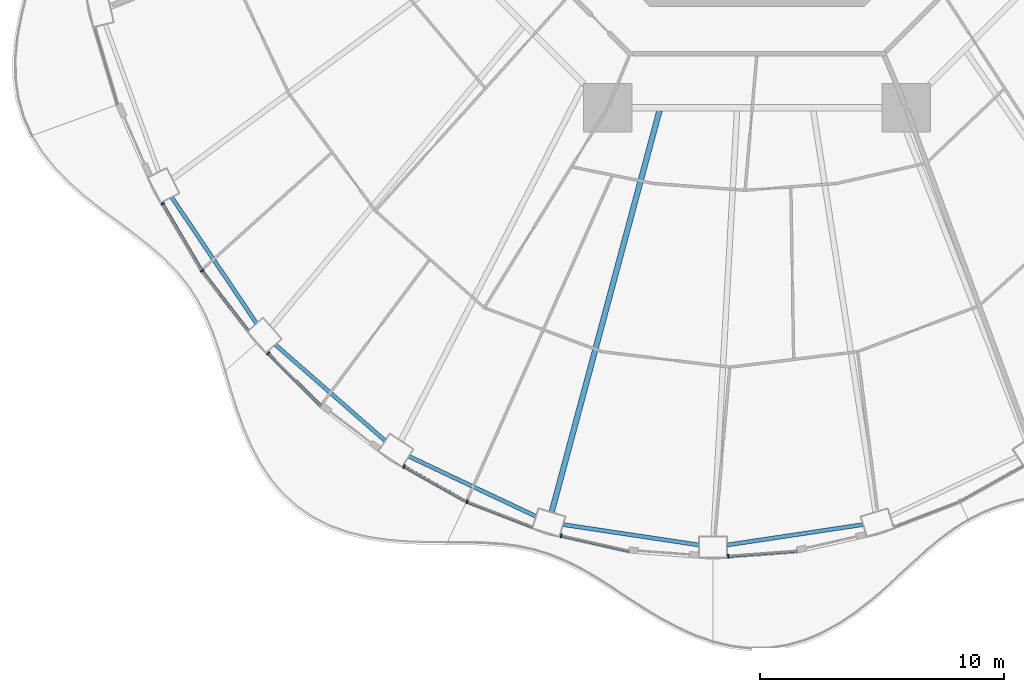
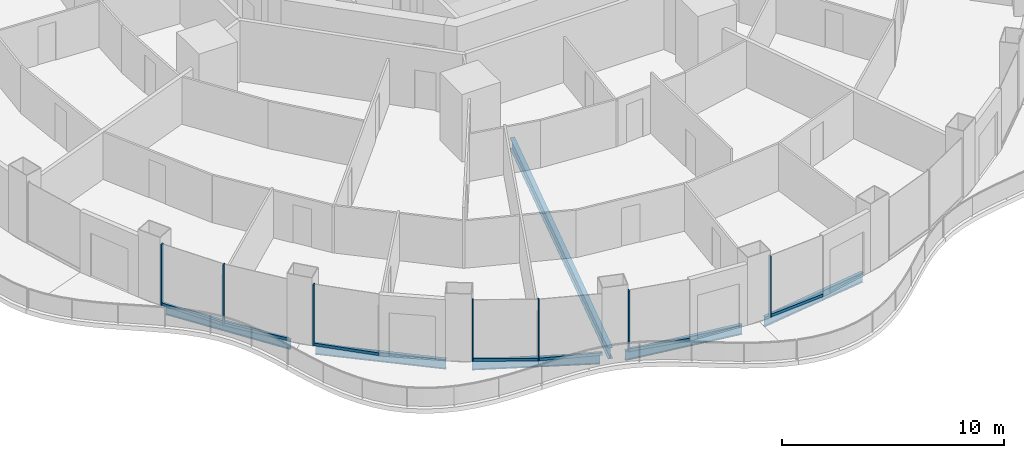
# One storey, part 2 of 21: 14 members, 6 beams, 7 elements without a shape of their own.
"""IFC4 building model written with IfcOpenShell, lengths in metres."""

from ifc_helpers import new_model, si_unit, direction, frame, origin, origin_2d, place, context, subcontext, project, spatial, rectangle, i_section, extrude, material, layer, layer_set, material_profile, profile_set, type_object, element, aggregate, save


model = new_model("IFC4")

# Units and contexts
model_context = context("Model", 3, precision=1e-05, world=origin(), true_north=direction((0.0, 1.0)))
body_context = subcontext(model_context, "Body", "Model", "MODEL_VIEW")
ifc_project = project(units=[si_unit("LENGTHUNIT", "METRE"), si_unit("AREAUNIT", "SQUARE_METRE"), si_unit("VOLUMEUNIT", "CUBIC_METRE"), si_unit("PLANEANGLEUNIT", "RADIAN"), si_unit("MASSUNIT", "GRAM", prefix="KILO")], contexts=[model_context])

# Site, building, storey
site_placement = place(None, origin())
site = spatial("IfcSite", under=ifc_project, at=site_placement, CompositionType="ELEMENT")
building_placement = place(site_placement, origin())
building = spatial("IfcBuilding", under=site, at=building_placement, Name="Nagisa Residences", CompositionType="ELEMENT")
storey_placement = place(building_placement, frame((0.0, 0.0, 156.60009765625)))
storey = spatial("IfcBuildingStorey", under=building, at=storey_placement, Name="L39", CompositionType="ELEMENT", Elevation=156.60009765625)

# Curtain wall, member
ifc_material_1 = material(Name="Concrete-coloured aluminium curtain wall system", Category="concrete")
ifc_layer = layer(ifc_material_1, 0.159912109375)
ifc_layer_set = layer_set([ifc_layer], Name="CW1 CURTAIN WALL")
curtain_wall_type = type_object("IfcCurtainWallType", Name="CW1 CURTAIN WALL", PredefinedType="NOTDEFINED", material=ifc_layer_set)
curtain_wall_1_placement = place(storey_placement, origin())
curtain_wall_1 = element("IfcCurtainWall", 1, at=curtain_wall_1_placement, inside=storey, type_object=curtain_wall_type, Name="cw:CW1:L39:28", PredefinedType="NOTDEFINED")
ifc_material_2 = material(Name="Concrete-coloured aluminium", Category="concrete")
ifc_material_profile_1 = material_profile(ifc_material_2, rectangle(XDim=0.159912109375, YDim=0.06005859375, at=origin_2d()), Name="CW1 MULLION 160x60")
ifc_profile_set_1 = profile_set([ifc_material_profile_1], Name="Concrete-coloured aluminium")
member_type_1 = type_object("IfcMemberType", Name="CW1 MULLION 160x60", PredefinedType="MULLION", material=ifc_profile_set_1)
member_1_placement = place(storey_placement, frame((-24.39208984375, -18.718017578125, 0.0), z_axis=(0.0, 0.0, 1.0), x_axis=(0.862328898214, 0.506348567002, 0.0)))
member_1 = element("IfcMember", 2, at=member_1_placement, type_object=member_type_1, Name="CW1 mullion", PredefinedType="MULLION", context=body_context, shape_type="SweptSolid", body=[
    extrude(rectangle(XDim=0.159912109375, YDim=0.06005859375, at=origin_2d()), origin(), (0.0, 0.0, 1.0), 3.349853515625),
])

curtain_wall_2_placement = place(storey_placement, origin())
curtain_wall_2 = element("IfcCurtainWall", 3, at=curtain_wall_2_placement, inside=storey, type_object=curtain_wall_type, Name="cw:CW1:L39:29", PredefinedType="NOTDEFINED")
member_2_placement = place(storey_placement, frame((-22.77001953125, -21.47412109375, 0.0), z_axis=(0.0, 0.0, 1.0), x_axis=(0.792070340816, 0.610429828235, 0.0)))
member_2 = element("IfcMember", 4, at=member_2_placement, type_object=member_type_1, Name="CW1 mullion", PredefinedType="MULLION", context=body_context, shape_type="SweptSolid", body=[
    extrude(rectangle(XDim=0.159912109375, YDim=0.06005859375, at=origin_2d()), origin(), (0.0, 0.0, 1.0), 3.349853515625),
])

curtain_wall_3_placement = place(storey_placement, origin())
curtain_wall_3 = element("IfcCurtainWall", 5, at=curtain_wall_3_placement, inside=storey, type_object=curtain_wall_type, Name="cw:CW1:L39:30", PredefinedType="NOTDEFINED")
member_3_placement = place(storey_placement, frame((-20.060546875, -24.857177734375, 0.0), z_axis=(0.0, 0.0, 1.0), x_axis=(0.706376885714, 0.707835924016, 0.0)))
member_3 = element("IfcMember", 6, at=member_3_placement, type_object=member_type_1, Name="CW1 mullion", PredefinedType="MULLION", context=body_context, shape_type="SweptSolid", body=[
    extrude(rectangle(XDim=0.159912109375, YDim=0.06005859375, at=origin_2d()), origin(), (0.0, 0.0, 1.0), 3.349853515625),
])

curtain_wall_4_placement = place(storey_placement, origin())
curtain_wall_4 = element("IfcCurtainWall", 7, at=curtain_wall_4_placement, inside=storey, type_object=curtain_wall_type, Name="cw:CW1:L39:32", PredefinedType="NOTDEFINED")
member_4_placement = place(storey_placement, frame((-14.47900390625, -29.505859375, 0.0), z_axis=(0.0, 0.0, 1.0), x_axis=(0.489376918501, 0.872072377523, 0.0)))
member_4 = element("IfcMember", 8, at=member_4_placement, type_object=member_type_1, Name="CW1 mullion", PredefinedType="MULLION", context=body_context, shape_type="SweptSolid", body=[
    extrude(rectangle(XDim=0.159912109375, YDim=0.06005859375, at=origin_2d()), origin(), (0.0, 0.0, 1.0), 3.349853515625),
])

curtain_wall_5_placement = place(storey_placement, origin())
curtain_wall_5 = element("IfcCurtainWall", 9, at=curtain_wall_5_placement, inside=storey, type_object=curtain_wall_type, Name="cw:CW1:L39:33", PredefinedType="NOTDEFINED")
member_5_placement = place(storey_placement, frame((-11.897705078125, -30.950439453125, 0.0), z_axis=(0.0, 0.0, 1.0), x_axis=(0.360327770268, 0.932825759707, 0.0)))
member_5 = element("IfcMember", 10, at=member_5_placement, type_object=member_type_1, Name="CW1 mullion", PredefinedType="MULLION", context=body_context, shape_type="SweptSolid", body=[
    extrude(rectangle(XDim=0.159912109375, YDim=0.06005859375, at=origin_2d()), origin(), (0.0, 0.0, 1.0), 3.349853515625),
])

curtain_wall_6_placement = place(storey_placement, origin())
curtain_wall_6 = element("IfcCurtainWall", 11, at=curtain_wall_6_placement, inside=storey, type_object=curtain_wall_type, Name="cw:CW1:L39:34", PredefinedType="NOTDEFINED")
member_6_placement = place(storey_placement, frame((-8.03564453125, -32.344970703125, 0.0), z_axis=(0.0, 0.0, 1.0), x_axis=(0.2207639201, 0.975327274089, 0.0)))
member_6 = element("IfcMember", 12, at=member_6_placement, type_object=member_type_1, Name="CW1 mullion", PredefinedType="MULLION", context=body_context, shape_type="SweptSolid", body=[
    extrude(rectangle(XDim=0.159912109375, YDim=0.06005859375, at=origin_2d()), origin(), (0.0, 0.0, 1.0), 3.349853515625),
])

curtain_wall_7_placement = place(storey_placement, origin())
curtain_wall_7 = element("IfcCurtainWall", 13, at=curtain_wall_7_placement, inside=storey, type_object=curtain_wall_type, Name="cw:CW1:L39:36", PredefinedType="NOTDEFINED")
member_7_placement = place(storey_placement, frame((-1.177734375, -33.18603515625, 0.0), z_axis=(0.0, 0.0, 1.0), x_axis=(-0.074377355493, 0.997230168512, 0.0)))
member_7 = element("IfcMember", 14, at=member_7_placement, type_object=member_type_1, Name="CW1 mullion", PredefinedType="MULLION", context=body_context, shape_type="SweptSolid", body=[
    extrude(rectangle(XDim=0.159912109375, YDim=0.06005859375, at=origin_2d()), origin(), (0.0, 0.0, 1.0), 3.349853515625),
])

# Member
ifc_material_3 = material(Name="Concrete-coloured aluminium", Category="concrete")
ifc_material_profile_2 = material_profile(ifc_material_3, rectangle(XDim=0.1201171875, YDim=0.14990234375, at=origin_2d()), Name="CW1 TRANSOM 120x150")
ifc_profile_set_2 = profile_set([ifc_material_profile_2], Name="Concrete-coloured aluminium")
member_type_2 = type_object("IfcMemberType", Name="CW1 TRANSOM 120x150", PredefinedType="USERDEFINED", material=ifc_profile_set_2)
member_8_placement = place(storey_placement, frame((-24.4072265625, -18.692138671875, 0.074951171875), z_axis=(0.506348207891, -0.86232910908, 0.0), x_axis=(0.86232910908, 0.506348207891, 0.0)))
member_8 = element("IfcMember", 15, at=member_8_placement, type_object=member_type_2, Name="CW1 transom", ObjectType="TRANSOM", PredefinedType="USERDEFINED", context=body_context, shape_type="SweptSolid", body=[
    extrude(rectangle(XDim=0.1201171875, YDim=0.14990234375, at=origin_2d()), origin(), (0.0, 0.0, 1.0), 3.208251953125),
])

aggregate(curtain_wall_1, [member_1, member_8])

member_9_placement = place(storey_placement, frame((-22.788330078125, -21.450439453125, 0.074951171875), z_axis=(0.610429847179, -0.792070326217, 0.0), x_axis=(0.792070326217, 0.610429847179, 0.0)))
member_9 = element("IfcMember", 16, at=member_9_placement, type_object=member_type_2, Name="CW1 transom", ObjectType="TRANSOM", PredefinedType="USERDEFINED", context=body_context, shape_type="SweptSolid", body=[
    extrude(rectangle(XDim=0.1201171875, YDim=0.14990234375, at=origin_2d()), origin(), (0.0, 0.0, 1.0), 3.149169921875),
])

aggregate(curtain_wall_2, [member_2, member_9])

member_10_placement = place(storey_placement, frame((-20.081787109375, -24.8359375, 0.074951171875), z_axis=(0.707818274975, -0.706394570768, 0.0), x_axis=(0.706394570768, 0.707818274975, 0.0)))
member_10 = element("IfcMember", 17, at=member_10_placement, type_object=member_type_2, Name="CW1 transom", ObjectType="TRANSOM", PredefinedType="USERDEFINED", context=body_context, shape_type="SweptSolid", body=[
    extrude(rectangle(XDim=0.1201171875, YDim=0.14990234375, at=origin_2d()), origin(), (0.0, 0.0, 1.0), 3.086669921875),
])

aggregate(curtain_wall_3, [member_3, member_10])

member_11_placement = place(storey_placement, frame((-14.505126953125, -29.4912109375, 0.074951171875), z_axis=(0.87206688547, -0.489386705241, 0.0), x_axis=(0.489386705241, 0.87206688547, 0.0)))
member_11 = element("IfcMember", 18, at=member_11_placement, type_object=member_type_2, Name="CW1 transom", ObjectType="TRANSOM", PredefinedType="USERDEFINED", context=body_context, shape_type="SweptSolid", body=[
    extrude(rectangle(XDim=0.1201171875, YDim=0.14990234375, at=origin_2d()), origin(), (0.0, 0.0, 1.0), 2.9697265625),
])

aggregate(curtain_wall_4, [member_4, member_11])

member_12_placement = place(storey_placement, frame((-11.92578125, -30.939697265625, 0.074951171875), z_axis=(0.932845344347, -0.360277064952, 0.0), x_axis=(0.360277064952, 0.932845344347, 0.0)))
member_12 = element("IfcMember", 19, at=member_12_placement, type_object=member_type_2, Name="CW1 transom", ObjectType="TRANSOM", PredefinedType="USERDEFINED", context=body_context, shape_type="SweptSolid", body=[
    extrude(rectangle(XDim=0.1201171875, YDim=0.14990234375, at=origin_2d()), origin(), (0.0, 0.0, 1.0), 2.92333984375),
])

aggregate(curtain_wall_5, [member_5, member_12])

member_13_placement = place(storey_placement, frame((-8.06494140625, -32.338134765625, 0.074951171875), z_axis=(0.975320849653, -0.220792301117, 0.0), x_axis=(0.220792301117, 0.975320849653, 0.0)))
member_13 = element("IfcMember", 20, at=member_13_placement, type_object=member_type_2, Name="CW1 transom", ObjectType="TRANSOM", PredefinedType="USERDEFINED", context=body_context, shape_type="SweptSolid", body=[
    extrude(rectangle(XDim=0.1201171875, YDim=0.14990234375, at=origin_2d()), origin(), (0.0, 0.0, 1.0), 2.890380859375),
])

aggregate(curtain_wall_6, [member_6, member_13])

member_14_placement = place(storey_placement, frame((-1.20751953125, -33.188232421875, 0.074951171875), z_axis=(0.997231697044, 0.074356858535, 0.0), x_axis=(-0.074356858535, 0.997231697044, 0.0)))
member_14 = element("IfcMember", 21, at=member_14_placement, type_object=member_type_2, Name="CW1 transom", ObjectType="TRANSOM", PredefinedType="USERDEFINED", context=body_context, shape_type="SweptSolid", body=[
    extrude(rectangle(XDim=0.1201171875, YDim=0.14990234375, at=origin_2d()), origin(), (0.0, 0.0, 1.0), 2.873046875),
])

aggregate(curtain_wall_7, [member_7, member_14])

# Beams
ifc_material_4 = material(Name="Steel ASTM A572 Gr 50", Category="steel")
ifc_material_profile_3 = material_profile(ifc_material_4, i_section(OverallWidth=0.166015625, OverallDepth=0.534912109375, WebThickness=0.01025390625, FlangeThickness=0.0166015625, at=origin_2d()), Name="W530x85")
ifc_profile_set_3 = profile_set([ifc_material_profile_3], Name="Steel ASTM A572 Gr 50")
beam_type_1 = type_object("IfcBeamType", Name="Perimeter ring beam W530x85", PredefinedType="BEAM", material=ifc_profile_set_3)
beam_1_placement = place(storey_placement, frame((-24.020751953125, -18.4501953125, -0.527587890625), z_axis=(0.558187951157, -0.82971453596, 0.0), x_axis=(0.82971453596, 0.558187951157, 0.0)))
element("IfcBeam", 22, at=beam_1_placement, inside=storey, type_object=beam_type_1, Name="beam:L39:pb15", PredefinedType="BEAM", context=body_context, shape_type="SweptSolid", body=[
    extrude(i_section(OverallWidth=0.166015625, OverallDepth=0.534912109375, WebThickness=0.01025390625, FlangeThickness=0.0166015625, at=origin_2d()), origin(), (0.0, 0.0, 1.0), 6.24267578125),
])
beam_2_placement = place(storey_placement, frame((-19.769287109375, -24.500732421875, -0.527587890625), z_axis=(0.75252371036, -0.658565156493, 0.0), x_axis=(0.658565156493, 0.75252371036, 0.0)))
element("IfcBeam", 23, at=beam_2_placement, inside=storey, type_object=beam_type_1, Name="beam:L39:pb16", PredefinedType="BEAM", context=body_context, shape_type="SweptSolid", body=[
    extrude(i_section(OverallWidth=0.166015625, OverallDepth=0.534912109375, WebThickness=0.01025390625, FlangeThickness=0.0166015625, at=origin_2d()), origin(), (0.0, 0.0, 1.0), 5.994384765625),
])
beam_3_placement = place(storey_placement, frame((-14.287841796875, -29.084716796875, -0.527587890625), z_axis=(0.904186034847, -0.427138870143, 0.0), x_axis=(0.427138870143, 0.904186034847, 0.0)))
element("IfcBeam", 24, at=beam_3_placement, inside=storey, type_object=beam_type_1, Name="beam:L39:pb17", PredefinedType="BEAM", context=body_context, shape_type="SweptSolid", body=[
    extrude(i_section(OverallWidth=0.166015625, OverallDepth=0.534912109375, WebThickness=0.01025390625, FlangeThickness=0.0166015625, at=origin_2d()), origin(), (0.0, 0.0, 1.0), 5.772216796875),
])
for number, where, z_axis, x_axis, name in (
    (25, (-7.958251953125, -31.887939453125, -0.527587890625), (0.9889122118, -0.148501304214, 0.0), (0.148501304214, 0.9889122118, 0.0), "beam:L39:pb18"),
    (26, (-1.2197265625, -32.7255859375, -0.527587890625), (0.9889122118, 0.148501304214, 0.0), (-0.148501304214, 0.9889122118, 0.0), "beam:L39:pb19"),
):
    element("IfcBeam", number, at=place(storey_placement, frame(where, z_axis=z_axis, x_axis=x_axis)), inside=storey, type_object=beam_type_1, Name=name, PredefinedType="BEAM", context=body_context, shape_type="SweptSolid", body=[
        extrude(i_section(OverallWidth=0.166015625, OverallDepth=0.534912109375, WebThickness=0.01025390625, FlangeThickness=0.0166015625, at=origin_2d()), origin(), (0.0, 0.0, 1.0), 5.640625),
    ])
ifc_material_5 = material(Name="Steel ASTM A572 Gr 50", Category="steel")
ifc_material_profile_4 = material_profile(ifc_material_5, i_section(OverallWidth=0.22900390625, OverallDepth=0.612060546875, WebThickness=0.011962890625, FlangeThickness=0.01953125, at=origin_2d()), Name="W610x125")
ifc_profile_set_4 = profile_set([ifc_material_profile_4], Name="Steel ASTM A572 Gr 50")
beam_type_2 = type_object("IfcBeamType", Name="Radial beam W610x125", PredefinedType="BEAM", material=ifc_profile_set_4)
beam_4_placement = place(storey_placement, frame((-8.4267578125, -31.38525390625, -0.566162109375), z_axis=(0.25930906211, 0.965794393392, 0.0), x_axis=(-0.965794393392, 0.25930906211, 0.0)))
element("IfcBeam", 27, at=beam_4_placement, inside=storey, type_object=beam_type_2, Name="beam:L39:rb18", PredefinedType="BEAM", context=body_context, shape_type="SweptSolid", body=[
    extrude(i_section(OverallWidth=0.22900390625, OverallDepth=0.612060546875, WebThickness=0.011962890625, FlangeThickness=0.01953125, at=origin_2d()), origin(), (0.0, 0.0, 1.0), 17.079833984375),
])

save(model, "model.ifc")
